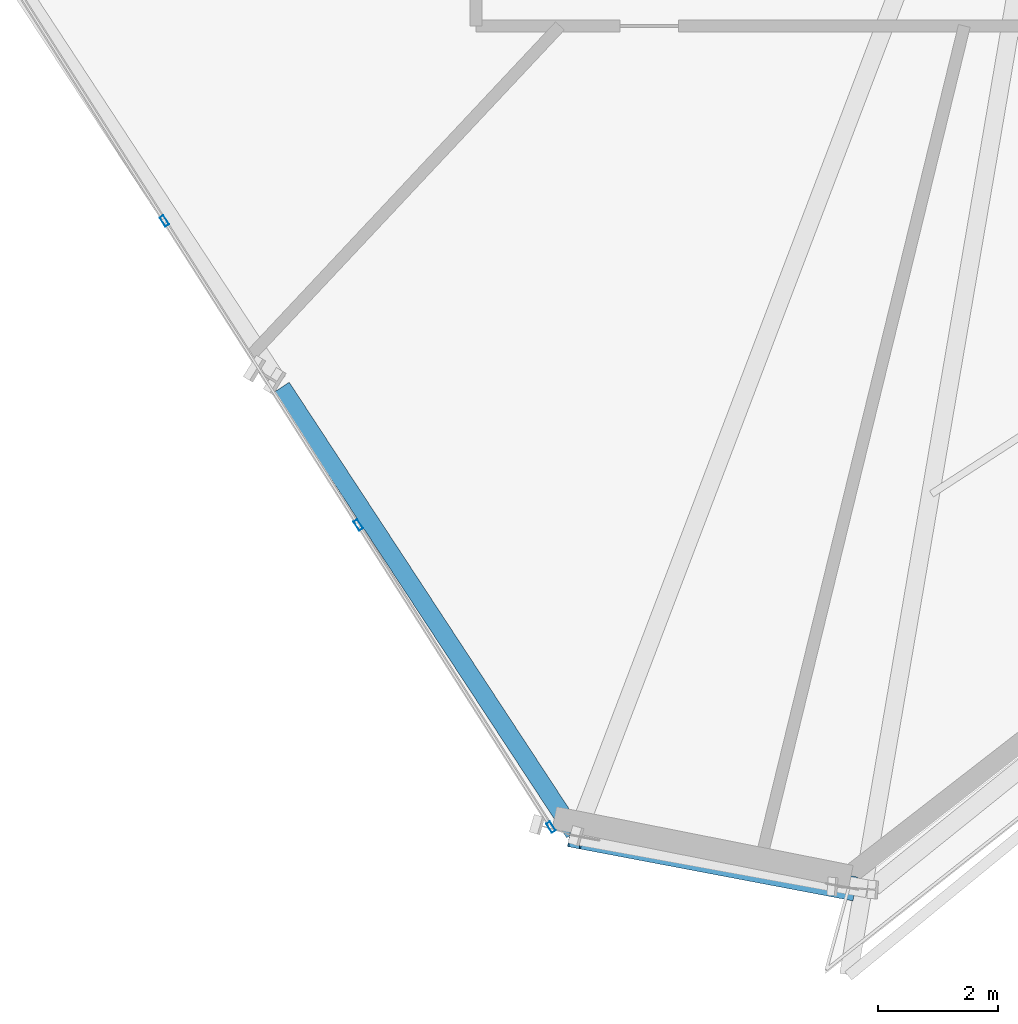
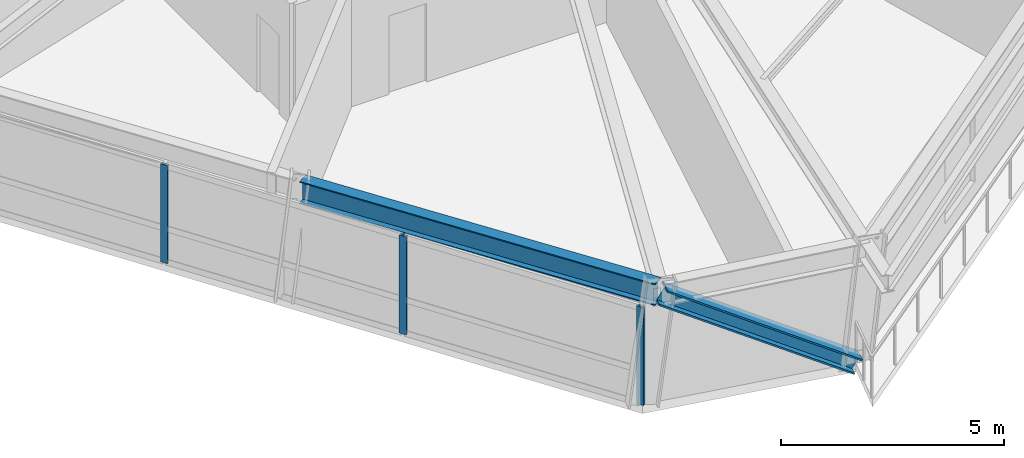
# One storey, part 2 of 16: 4 members, 1 beam, 1 element without a shape of its own.
"""IFC4 building model written with IfcOpenShell, lengths in metres."""

from ifc_helpers import new_model, si_unit, direction, frame, origin, origin_2d, place, context, subcontext, project, spatial, hollow_rectangle, i_section, extrude, source, transform, mapped, material, material_profile, profile_set, type_object, element, aggregate, save


model = new_model("IFC4")

# Units and contexts
model_context = context("Model", 3, precision=1e-05, world=origin(), true_north=direction((0.0, 1.0)))
body_context = subcontext(model_context, "Body", "Model", "MODEL_VIEW")
ifc_project = project(units=[si_unit("LENGTHUNIT", "METRE"), si_unit("AREAUNIT", "SQUARE_METRE"), si_unit("VOLUMEUNIT", "CUBIC_METRE"), si_unit("PLANEANGLEUNIT", "RADIAN"), si_unit("MASSUNIT", "GRAM", prefix="KILO")], contexts=[model_context])

# Site, building, storey
site_placement = place(None, origin())
site = spatial("IfcSite", under=ifc_project, at=site_placement, CompositionType="ELEMENT")
building_placement = place(site_placement, origin())
building = spatial("IfcBuilding", under=site, at=building_placement, Name="Olszyna Solenne Hotel", CompositionType="ELEMENT")
storey_placement = place(building_placement, frame((0.0, 0.0, 127.0)))
storey = spatial("IfcBuildingStorey", under=building, at=storey_placement, Name="L33", CompositionType="ELEMENT", Elevation=127.0)

# Beam
ifc_material_1 = material(Name="Steel S355J2", Category="steel")
ifc_material_profile_1 = material_profile(ifc_material_1, i_section(OverallWidth=0.300048828125, OverallDepth=0.60009765625, WebThickness=0.015380859375, FlangeThickness=0.030029296875, at=origin_2d()), Name="HEB 600", Category="load-bearing")
ifc_profile_set_1 = profile_set([ifc_material_profile_1], Name="Steel S355J2")
beam_type = type_object("IfcBeamType", Name="BM-S2", PredefinedType="BEAM", material=ifc_profile_set_1)
shared_shape_1 = source(origin(), body_context, "Body", "SweptSolid", [
    extrude(i_section(OverallWidth=0.300048828125, OverallDepth=0.60009765625, WebThickness=0.015380859375, FlangeThickness=0.030029296875, at=origin_2d()), origin(), (0.0, 0.0, 1.0), 8.920654296875),
])
beam_placement = place(storey_placement, frame((24.19970703125, 10.805419921875, 3.0), z_axis=(0.548654050254, -0.836049480079, 0.0), x_axis=(0.836049480079, 0.548654050254, 0.0)))
element("IfcBeam", 1, at=beam_placement, inside=storey, type_object=beam_type, Name="Perimeter spandrel beam BM-S2 B-L33-0994", PredefinedType="BEAM", context=body_context, shape_type="MappedRepresentation", body=[
    mapped(shared_shape_1, transform((0.0, 0.0, 0.0), x_axis=(1.0, 0.0, 0.0), y_axis=(0.0, 1.0, 0.0), z_axis=(0.0, 0.0, 1.0), scale=1.0)),
])

# Member
ifc_material_2 = material(Name="Steel S460M", Category="steel")
ifc_material_profile_2 = material_profile(ifc_material_2, i_section(OverallWidth=0.406005859375, OverallDepth=0.416015625, WebThickness=0.026611328125, FlangeThickness=0.04150390625, at=origin_2d()), Name="HD 400x382", Category="load-bearing")
ifc_profile_set_2 = profile_set([ifc_material_profile_2], Name="Steel S460M")
member_type_1 = type_object("IfcMemberType", Name="BR-T2", PredefinedType="BRACE", material=ifc_profile_set_2)
shared_shape_2 = source(origin(), body_context, "Body", "SweptSolid", [
    extrude(i_section(OverallWidth=0.406005859375, OverallDepth=0.416015625, WebThickness=0.026611328125, FlangeThickness=0.04150390625, at=origin_2d()), origin(), (0.0, 0.0, 1.0), 5.50537109375),
])
member_1_placement = place(storey_placement, frame((33.687255859375, 2.430419921875, 0.010009765625), z_axis=(-0.828339947146, 0.157428492551, 0.537651561604), x_axis=(-0.186710900066, -0.982414902064, 0.0)))
element("IfcMember", 2, at=member_1_placement, inside=storey, type_object=member_type_1, Name="Perimeter braced-tube diagonal BR-T2 BR-L33-3", PredefinedType="BRACE", context=body_context, shape_type="MappedRepresentation", body=[
    mapped(shared_shape_2, transform((0.0, 0.0, 0.0), x_axis=(1.0, 0.0, 0.0), y_axis=(0.0, 1.0, 0.0), z_axis=(0.0, 0.0, 1.0), scale=1.0)),
])

# Curtain wall, members
ifc_material_3 = material(Name="Anodised bronze aluminium", Category="aluminium")
curtain_wall_type = type_object("IfcCurtainWallType", Name="CW-SYS-3", PredefinedType="NOTDEFINED", material=ifc_material_3)
curtain_wall_placement = place(storey_placement, origin())
curtain_wall = element("IfcCurtainWall", 3, at=curtain_wall_placement, inside=storey, type_object=curtain_wall_type, Name="Unitised curtain wall CW-SYS-3 CW-L33-01", PredefinedType="NOTDEFINED")
ifc_material_profile_3 = material_profile(ifc_material_3, hollow_rectangle(XDim=0.074951171875, YDim=0.179931640625, WallThickness=0.00439453125, at=origin_2d()), Name="MULL 180x75x4.5", Category="load-bearing")
ifc_profile_set_3 = profile_set([ifc_material_profile_3], Name="Anodised bronze aluminium")
member_type_2 = type_object("IfcMemberType", Name="CW-M2", PredefinedType="MULLION", material=ifc_profile_set_3)
shared_shape_3 = source(origin(), body_context, "Body", "SweptSolid", [
    extrude(hollow_rectangle(XDim=0.074951171875, YDim=0.179931640625, WallThickness=0.00439453125, at=origin_2d()), origin(), (0.0, 0.0, 1.0), 2.69189453125),
])
member_2_placement = place(storey_placement, frame((22.23681640625, 13.58740234375, 0.0), z_axis=(0.0, 0.0, 1.0), x_axis=(0.843144487516, 0.537687058772, 0.0)))
member_2 = element("IfcMember", 4, at=member_2_placement, type_object=member_type_2, Name="Curtain-wall mullion CW-M2 CM-L33-01-02", PredefinedType="MULLION", context=body_context, shape_type="MappedRepresentation", body=[
    mapped(shared_shape_3, transform((0.0, 0.0, 0.0), x_axis=(1.0, 0.0, 0.0), y_axis=(0.0, 1.0, 0.0), z_axis=(0.0, 0.0, 1.0), scale=1.0)),
])
member_3_placement = place(storey_placement, frame((25.481201171875, 8.500244140625, 0.0), z_axis=(0.0, 0.0, 1.0), x_axis=(0.843144487516, 0.537687058772, 0.0)))
member_3 = element("IfcMember", 5, at=member_3_placement, type_object=member_type_2, Name="Curtain-wall mullion CW-M2 CM-L33-01-03", PredefinedType="MULLION", context=body_context, shape_type="MappedRepresentation", body=[
    mapped(shared_shape_3, transform((0.0, 0.0, 0.0), x_axis=(1.0, 0.0, 0.0), y_axis=(0.0, 1.0, 0.0), z_axis=(0.0, 0.0, 1.0), scale=1.0)),
])
member_4_placement = place(storey_placement, frame((28.705322265625, 3.444580078125, 0.0), z_axis=(0.0, 0.0, 1.0), x_axis=(0.843144487516, 0.537687058772, 0.0)))
member_4 = element("IfcMember", 6, at=member_4_placement, type_object=member_type_2, Name="Curtain-wall mullion CW-M2 CM-L33-01-04", PredefinedType="MULLION", context=body_context, shape_type="MappedRepresentation", body=[
    mapped(shared_shape_3, transform((0.0, 0.0, 0.0), x_axis=(1.0, 0.0, 0.0), y_axis=(0.0, 1.0, 0.0), z_axis=(0.0, 0.0, 1.0), scale=1.0)),
])
aggregate(curtain_wall, [member_2, member_3, member_4])

save(model, "model.ifc")
